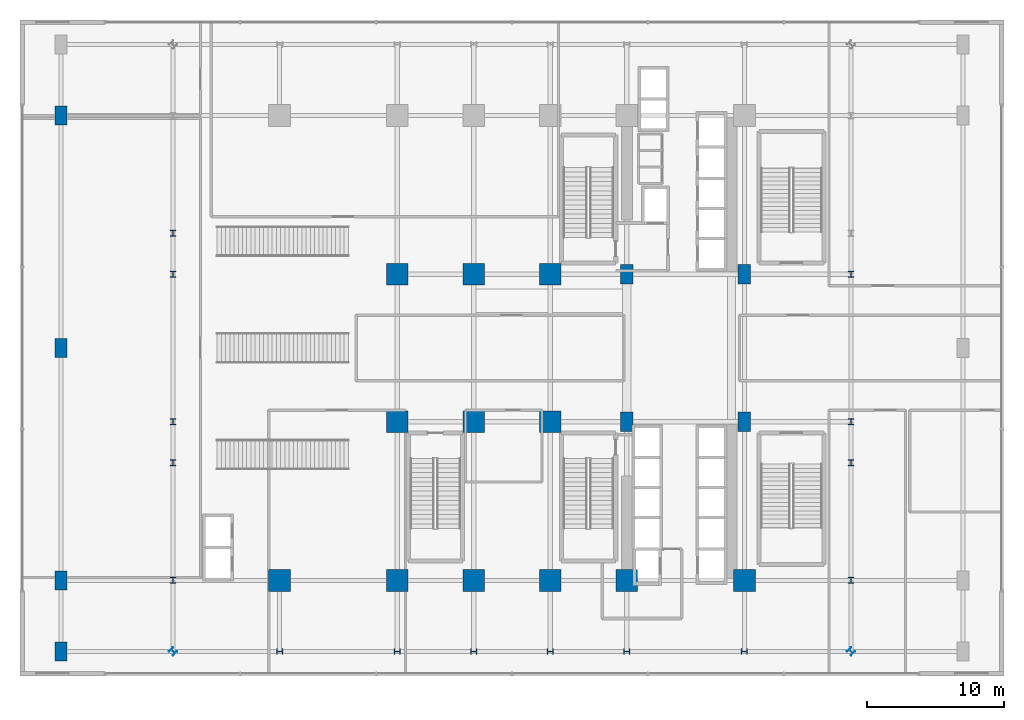
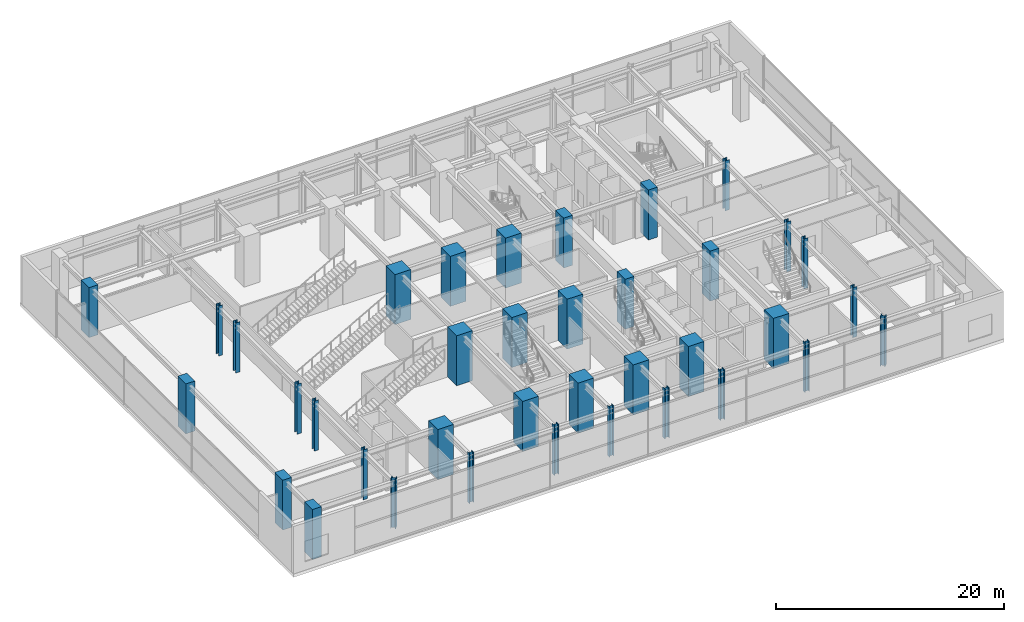
# One storey, part 1 of 34: 37 columns.
"""IFC4 building model written with IfcOpenShell, lengths in metres."""

from ifc_helpers import new_model, si_unit, direction, frame, origin, origin_2d, place, context, subcontext, project, spatial, rectangle, i_section, extrude, source, transform, mapped, material, material_profile, profile_set, type_object, element, save


model = new_model("IFC4")

# Units and contexts
model_context = context("Model", 3, precision=1e-05, world=origin(), true_north=direction((0.0, 1.0)))
body_context = subcontext(model_context, "Body", "Model", "MODEL_VIEW")
ifc_project = project(units=[si_unit("LENGTHUNIT", "METRE"), si_unit("AREAUNIT", "SQUARE_METRE"), si_unit("VOLUMEUNIT", "CUBIC_METRE"), si_unit("PLANEANGLEUNIT", "RADIAN"), si_unit("MASSUNIT", "GRAM", prefix="KILO")], contexts=[model_context])

# Site, building, storey
site_placement = place(None, origin())
site = spatial("IfcSite", under=ifc_project, at=site_placement, CompositionType="ELEMENT")
building_placement = place(site_placement, origin())
building = spatial("IfcBuilding", under=site, at=building_placement, Name="Nahalor Promenade Grand Hotel", CompositionType="ELEMENT")
storey_placement = place(building_placement, frame((0.0, 0.0, 16.199951171875)))
storey = spatial("IfcBuildingStorey", under=building, at=storey_placement, Name="L03", CompositionType="ELEMENT", Elevation=16.199951171875)

# Columns
ifc_material_1 = material(Name="Concrete B-70 (C60/75)", Category="concrete")
ifc_material_profile_1 = material_profile(ifc_material_1, rectangle(XDim=1.6, YDim=1.6, at=origin_2d()), Name="RC 1600x1600")
ifc_profile_set_1 = profile_set([ifc_material_profile_1], Name="Concrete B-70 (C60/75)")
column_type_1 = type_object("IfcColumnType", Name="Col-RC-1600", PredefinedType="COLUMN", material=ifc_profile_set_1)
shared_shape_1 = source(origin(), body_context, "Body", "SweptSolid", [
    extrude(rectangle(XDim=1.6, YDim=1.6, at=origin_2d()), origin(), (0.0, 0.0, 1.0), 5.35498046875),
])
for number, where, z_axis, x_axis, name in (
    (1, (-17.0, -17.0, 0.0), (0.0, 0.0, 1.0), (1.0, 0.0, 0.0), "COL-L03-I00"),
    (2, (-8.39990234375, -17.0, 0.0), (0.0, 0.0, 1.0), (1.0, 0.0, 0.0), "COL-L03-I10"),
    (3, (-8.39990234375, -5.39990234375, 0.0), (0.0, 0.0, 1.0), (1.0, 0.0, 0.0), "COL-L03-I11"),
    (4, (-8.39990234375, 5.39990234375, 0.0), (0.0, 0.0, 1.0), (1.0, 0.0, 0.0), "COL-L03-I12"),
    (5, (-2.800048828125, -17.0, 0.0), (0.0, 0.0, 1.0), (1.0, 0.0, 0.0), "COL-L03-I20"),
    (6, (-2.800048828125, -5.39990234375, 0.0), (0.0, 0.0, 1.0), (1.0, 0.0, 0.0), "COL-L03-I21"),
    (7, (-2.800048828125, 5.39990234375, 0.0), (0.0, 0.0, 1.0), (1.0, 0.0, 0.0), "COL-L03-I22"),
    (8, (2.800048828125, -17.0, 0.0), (0.0, 0.0, 1.0), (1.0, 0.0, 0.0), "COL-L03-I30"),
    (9, (2.800048828125, -5.39990234375, 0.0), (0.0, 0.0, 1.0), (1.0, 0.0, 0.0), "COL-L03-I31"),
    (10, (2.800048828125, 5.39990234375, 0.0), (0.0, 0.0, 1.0), (1.0, 0.0, 0.0), "COL-L03-I32"),
    (11, (8.39990234375, -17.0, 0.0), (0.0, 0.0, 1.0), (1.0, 0.0, 0.0), "COL-L03-I40"),
    (12, (17.0, -17.0, 0.0), (0.0, 0.0, 1.0), (1.0, 0.0, 0.0), "COL-L03-I50"),
):
    element("IfcColumn", number, at=place(storey_placement, frame(where, z_axis=z_axis, x_axis=x_axis)), inside=storey, type_object=column_type_1, Name=name, PredefinedType="COLUMN", context=body_context, shape_type="MappedRepresentation", body=[
        mapped(shared_shape_1, transform((0.0, 0.0, 0.0), scale=1.0)),
    ])
ifc_material_2 = material(Name="Concrete B-60 (C50/60)", Category="concrete")
ifc_material_profile_2 = material_profile(ifc_material_2, rectangle(XDim=0.9, YDim=1.4, at=origin_2d()), Name="RC 900x1400")
ifc_profile_set_2 = profile_set([ifc_material_profile_2], Name="Concrete B-60 (C50/60)")
column_type_2 = type_object("IfcColumnType", Name="Col-Pilaster-1400", PredefinedType="PILASTER", material=ifc_profile_set_2)
shared_shape_2 = source(origin(), body_context, "Body", "SweptSolid", [
    extrude(rectangle(XDim=0.9, YDim=1.4, at=origin_2d()), origin(), (0.0, 0.0, 1.0), 5.35498046875),
])
for number, where, z_axis, x_axis, name in (
    (13, (8.39990234375, -5.39990234375, 0.0), (0.0, 0.0, 1.0), (1.0, 0.0, 0.0), "COL-L03-I41"),
    (14, (8.39990234375, 5.39990234375, 0.0), (0.0, 0.0, 1.0), (1.0, 0.0, 0.0), "COL-L03-I42"),
    (15, (17.0, -5.39990234375, 0.0), (0.0, 0.0, 1.0), (1.0, 0.0, 0.0), "COL-L03-I51"),
    (16, (17.0, 5.39990234375, 0.0), (0.0, 0.0, 1.0), (1.0, 0.0, 0.0), "COL-L03-I52"),
    (17, (-33.0, -22.199951171875, 0.0), (0.0, 0.0, 1.0), (1.0, 0.0, 0.0), "COL-L03-PC-W0"),
    (18, (-33.0, -17.0, 0.0), (0.0, 0.0, 1.0), (1.0, 0.0, 0.0), "COL-L03-PC-W1"),
    (19, (-33.0, 0.0, 0.0), (0.0, 0.0, 1.0), (1.0, 0.0, 0.0), "COL-L03-PC-W2"),
    (20, (-33.0, 17.0, 0.0), (0.0, 0.0, 1.0), (1.0, 0.0, 0.0), "COL-L03-PC-W3"),
):
    element("IfcColumn", number, at=place(storey_placement, frame(where, z_axis=z_axis, x_axis=x_axis)), inside=storey, type_object=column_type_2, Name=name, PredefinedType="PILASTER", context=body_context, shape_type="MappedRepresentation", body=[
        mapped(shared_shape_2, transform((0.0, 0.0, 0.0), scale=1.0)),
    ])
ifc_material_3 = material(Name="Steel S355J2", Category="steel")
ifc_material_profile_3 = material_profile(ifc_material_3, i_section(OverallWidth=0.416, OverallDepth=0.446, WebThickness=0.025, FlangeThickness=0.04, at=origin_2d()), Name="HD 400x509")
ifc_profile_set_3 = profile_set([ifc_material_profile_3], Name="Steel S355J2")
column_type_3 = type_object("IfcColumnType", Name="Col-Steel-HD509", PredefinedType="COLUMN", material=ifc_profile_set_3)
shared_shape_3 = source(origin(), body_context, "Body", "SweptSolid", [
    extrude(i_section(OverallWidth=0.416, OverallDepth=0.446, WebThickness=0.025, FlangeThickness=0.04, at=origin_2d()), origin(), (0.0, 0.0, 1.0), 5.35498046875),
])
for number, where, z_axis, x_axis, name in (
    (21, (-24.800048828125, -17.0, 0.0), (0.0, 0.0, 1.0), (1.0, 0.0, 0.0), "COL-L03-PW-W0"),
    (22, (24.800048828125, -17.0, 0.0), (0.0, 0.0, 1.0), (1.0, 0.0, 0.0), "COL-L03-PW-E0"),
    (23, (-24.800048828125, -8.39990234375, 0.0), (0.0, 0.0, 1.0), (1.0, 0.0, 0.0), "COL-L03-PW-W1"),
    (24, (24.800048828125, -8.39990234375, 0.0), (0.0, 0.0, 1.0), (1.0, 0.0, 0.0), "COL-L03-PW-E1"),
    (25, (-24.800048828125, -5.39990234375, 0.0), (0.0, 0.0, 1.0), (1.0, 0.0, 0.0), "COL-L03-PW-W2"),
    (26, (24.800048828125, -5.39990234375, 0.0), (0.0, 0.0, 1.0), (1.0, 0.0, 0.0), "COL-L03-PW-E2"),
    (27, (-24.800048828125, 5.39990234375, 0.0), (0.0, 0.0, 1.0), (1.0, 0.0, 0.0), "COL-L03-PW-W3"),
    (28, (24.800048828125, 5.39990234375, 0.0), (0.0, 0.0, 1.0), (1.0, 0.0, 0.0), "COL-L03-PW-E3"),
    (29, (-24.800048828125, 8.39990234375, 0.0), (0.0, 0.0, 1.0), (1.0, 0.0, 0.0), "COL-L03-PW-W4"),
    (30, (-17.0, -22.199951171875, 0.0), (0.0, 0.0, 1.0), (0.0, 1.0, 0.0), "COL-L03-PN-S0"),
    (31, (-8.39990234375, -22.199951171875, 0.0), (0.0, 0.0, 1.0), (0.0, 1.0, 0.0), "COL-L03-PN-S1"),
    (32, (-2.800048828125, -22.199951171875, 0.0), (0.0, 0.0, 1.0), (0.0, 1.0, 0.0), "COL-L03-PN-S2"),
    (33, (2.800048828125, -22.199951171875, 0.0), (0.0, 0.0, 1.0), (0.0, 1.0, 0.0), "COL-L03-PN-S3"),
    (34, (8.39990234375, -22.199951171875, 0.0), (0.0, 0.0, 1.0), (0.0, 1.0, 0.0), "COL-L03-PN-S4"),
    (35, (17.0, -22.199951171875, 0.0), (0.0, 0.0, 1.0), (0.0, 1.0, 0.0), "COL-L03-PN-S5"),
    (36, (-24.800048828125, -22.199951171875, 0.0), (0.0, 0.0, 1.0), (0.707106781187, 0.707106781187, 0.0), "COL-L03-CRN-SW"),
    (37, (24.800048828125, -22.199951171875, 0.0), (0.0, 0.0, 1.0), (0.707106781187, 0.707106781187, 0.0), "COL-L03-CRN-SE"),
):
    element("IfcColumn", number, at=place(storey_placement, frame(where, z_axis=z_axis, x_axis=x_axis)), inside=storey, type_object=column_type_3, Name=name, PredefinedType="COLUMN", context=body_context, shape_type="MappedRepresentation", body=[
        mapped(shared_shape_3, transform((0.0, 0.0, 0.0), scale=1.0)),
    ])

save(model, "model.ifc")
